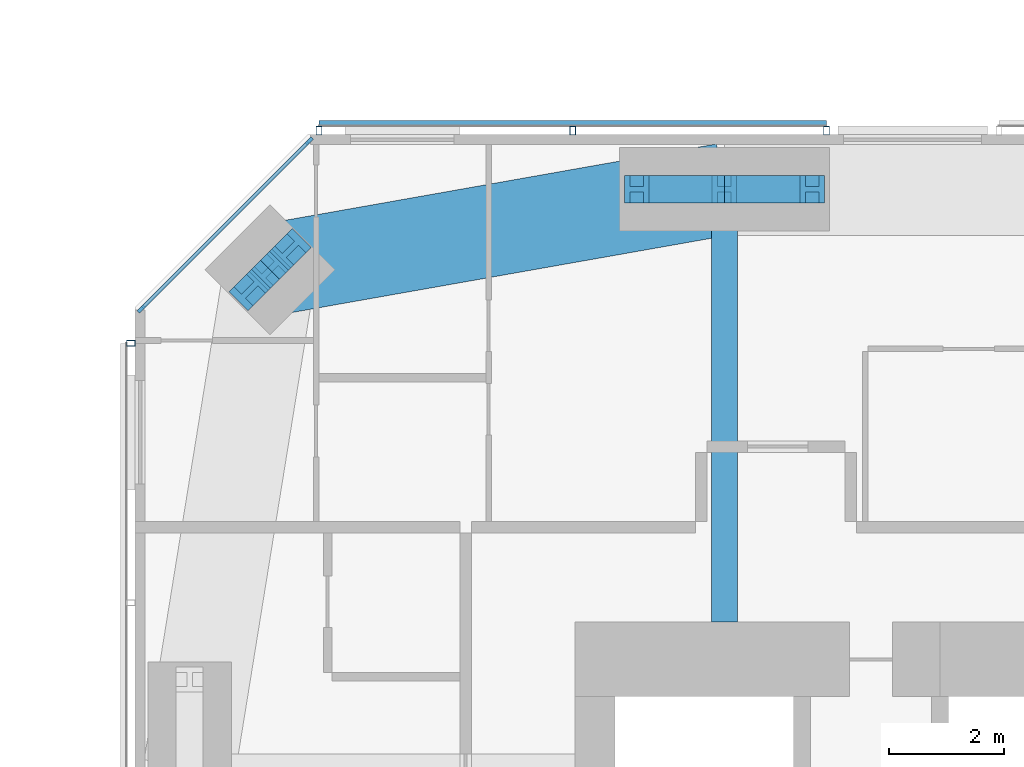
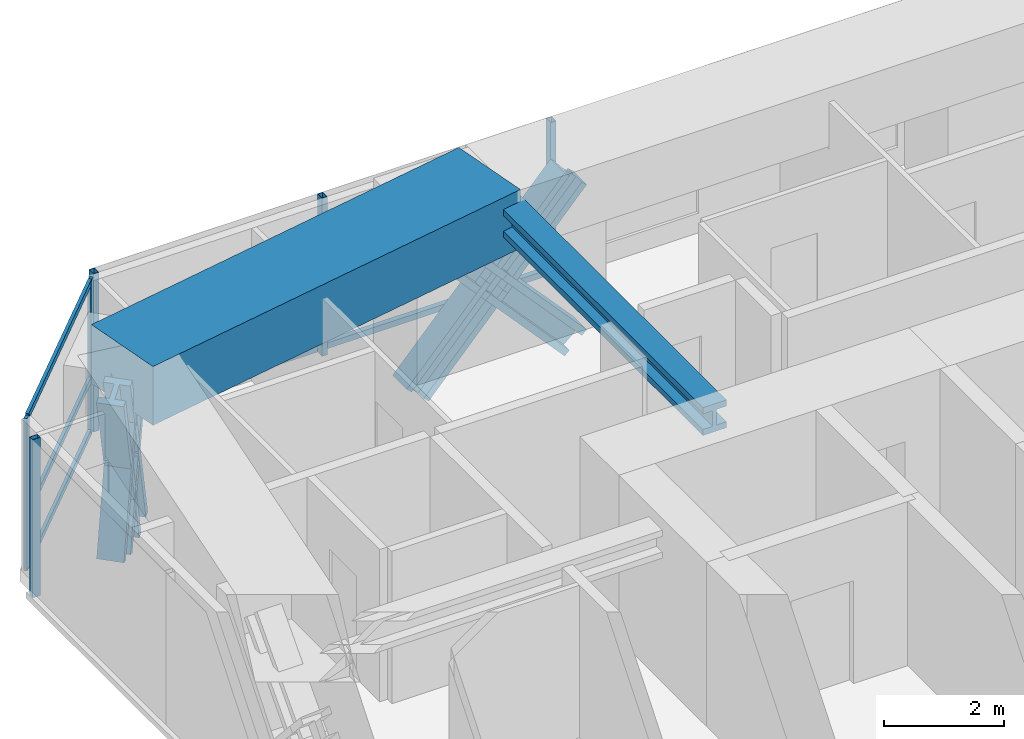
# One storey, part 10 of 23: 18 members, 2 beams, 3 elements without a shape of their own.
"""IFC4 building model written with IfcOpenShell, lengths in metres."""

from ifc_helpers import new_model, si_unit, direction, frame, origin, origin_2d, place, context, subcontext, project, spatial, rectangle, hollow_rectangle, i_section, extrude, material, material_profile, profile_set, type_object, element, aggregate, save


model = new_model("IFC4")

# Units and contexts
model_context = context("Model", 3, precision=1e-05, world=origin(), true_north=direction((0.0, 1.0)))
body_context = subcontext(model_context, "Body", "Model", "MODEL_VIEW")
ifc_project = project(units=[si_unit("LENGTHUNIT", "METRE"), si_unit("AREAUNIT", "SQUARE_METRE"), si_unit("VOLUMEUNIT", "CUBIC_METRE"), si_unit("PLANEANGLEUNIT", "RADIAN"), si_unit("MASSUNIT", "GRAM", prefix="KILO")], contexts=[model_context])

# Site, building, storey
site_placement = place(None, origin())
site = spatial("IfcSite", under=ifc_project, at=site_placement, CompositionType="ELEMENT")
building_placement = place(site_placement, origin())
building = spatial("IfcBuilding", under=site, at=building_placement, Name="Jalousie Tower", CompositionType="ELEMENT")
storey_placement = place(building_placement, frame((0.0, 0.0, 194.550048828125)))
storey = spatial("IfcBuildingStorey", under=building, at=storey_placement, Name="L53", CompositionType="ELEMENT", Elevation=194.550048828125)

# Curtain wall, members
ifc_material_1 = material(Name="Aluminium curtain wall", Category="aluminium")
curtain_wall_type_1 = type_object("IfcCurtainWallType", Name="CORNER WINDOW WALL", PredefinedType="USERDEFINED", material=ifc_material_1)
curtain_wall_1_placement = place(storey_placement, origin())
curtain_wall_1 = element("IfcCurtainWall", 1, at=curtain_wall_1_placement, inside=storey, type_object=curtain_wall_type_1, Name="Corner Window Wall L53 6", ObjectType="CORNER WINDOW WALL", PredefinedType="USERDEFINED")
ifc_material_2 = material(Name="Aluminium mullion", Category="aluminium")
ifc_material_profile_1 = material_profile(ifc_material_2, rectangle(XDim=0.06005859375, YDim=0.14990234375, at=origin_2d()), Name="MULLION 60x150")
ifc_profile_set_1 = profile_set([ifc_material_profile_1], Name="Aluminium mullion")
member_type_1 = type_object("IfcMemberType", Name="CORNER WINDOW WALL MULLION", PredefinedType="MULLION", material=ifc_profile_set_1)
member_1_placement = place(storey_placement, frame((15.030029296875, 35.891357421875, 0.0), z_axis=(0.0, 0.0, 1.0), x_axis=(0.707106781187, -0.707106781187, 0.0)))
member_1 = element("IfcMember", 2, at=member_1_placement, type_object=member_type_1, Name="CW-C mullion 1", PredefinedType="MULLION", context=body_context, shape_type="SweptSolid", body=[
    extrude(rectangle(XDim=0.06005859375, YDim=0.14990234375, at=origin_2d()), origin(), (0.0, 0.0, 1.0), 3.10986328125),
])
member_2_placement = place(storey_placement, frame((12.108642578125, 32.969970703125, 0.0), z_axis=(0.0, 0.0, 1.0), x_axis=(0.707106781187, -0.707106781187, 0.0)))
member_2 = element("IfcMember", 3, at=member_2_placement, type_object=member_type_1, Name="CW-C mullion 2", PredefinedType="MULLION", context=body_context, shape_type="SweptSolid", body=[
    extrude(rectangle(XDim=0.06005859375, YDim=0.14990234375, at=origin_2d()), origin(), (0.0, 0.0, 1.0), 3.10986328125),
])
ifc_material_3 = material(Name="Aluminium transom", Category="aluminium")
ifc_material_profile_2 = material_profile(ifc_material_3, rectangle(XDim=0.06005859375, YDim=0.1201171875, at=origin_2d()), Name="TRANSOM 60x120")
ifc_profile_set_2 = profile_set([ifc_material_profile_2], Name="Aluminium transom")
member_type_2 = type_object("IfcMemberType", Name="CORNER WINDOW WALL TRANSOM", PredefinedType="USERDEFINED", material=ifc_profile_set_2)
member_3_placement = place(storey_placement, frame((15.0087890625, 35.8701171875, 0.030029296875), z_axis=(-0.707106781187, -0.707106781187, 0.0), x_axis=(0.707106781187, -0.707106781187, 0.0)))
member_3 = element("IfcMember", 4, at=member_3_placement, type_object=member_type_2, Name="CW-C transom 1.1", ObjectType="TRANSOM", PredefinedType="USERDEFINED", context=body_context, shape_type="SweptSolid", body=[
    extrude(rectangle(XDim=0.06005859375, YDim=0.1201171875, at=origin_2d()), origin(), (0.0, 0.0, 1.0), 4.0712890625),
])
member_4_placement = place(storey_placement, frame((15.0087890625, 35.8701171875, 1.099853515625), z_axis=(-0.707106781187, -0.707106781187, 0.0), x_axis=(0.707106781187, -0.707106781187, 0.0)))
member_4 = element("IfcMember", 5, at=member_4_placement, type_object=member_type_2, Name="CW-C transom 1.2", ObjectType="TRANSOM", PredefinedType="USERDEFINED", context=body_context, shape_type="SweptSolid", body=[
    extrude(rectangle(XDim=0.06005859375, YDim=0.1201171875, at=origin_2d()), origin(), (0.0, 0.0, 1.0), 4.0712890625),
])
member_5_placement = place(storey_placement, frame((15.0087890625, 35.8701171875, 3.079833984375), z_axis=(-0.707106781187, -0.707106781187, 0.0), x_axis=(0.707106781187, -0.707106781187, 0.0)))
member_5 = element("IfcMember", 6, at=member_5_placement, type_object=member_type_2, Name="CW-C transom 1.3", ObjectType="TRANSOM", PredefinedType="USERDEFINED", context=body_context, shape_type="SweptSolid", body=[
    extrude(rectangle(XDim=0.06005859375, YDim=0.1201171875, at=origin_2d()), origin(), (0.0, 0.0, 1.0), 4.0712890625),
])
aggregate(curtain_wall_1, [member_1, member_2, member_3, member_4, member_5])

# Beam
ifc_material_4 = material(Name="Steel ASTM A992 Grade 50", Category="steel")
ifc_material_profile_3 = material_profile(ifc_material_4, i_section(OverallWidth=0.45458984375, OverallDepth=0.569091796875, WebThickness=0.077880859375, FlangeThickness=0.124755859375, at=origin_2d()), Name="W14X730")
ifc_profile_set_3 = profile_set([ifc_material_profile_3], Name="Steel ASTM A992 Grade 50")
beam_type_1 = type_object("IfcBeamType", Name="LEAN COLLECTOR W14X730", PredefinedType="BEAM", material=ifc_profile_set_3)
beam_1_placement = place(storey_placement, frame((22.25, 35.050048828125, 2.825439453125), z_axis=(0.0, -1.0, 0.0), x_axis=(1.0, 0.0, 0.0)))
element("IfcBeam", 7, at=beam_1_placement, inside=storey, type_object=beam_type_1, Name="Lean collector under L54", PredefinedType="BEAM", context=body_context, shape_type="SweptSolid", body=[
    extrude(i_section(OverallWidth=0.45458984375, OverallDepth=0.569091796875, WebThickness=0.077880859375, FlangeThickness=0.124755859375, at=origin_2d()), origin(), (0.0, 0.0, 1.0), 7.525146484375),
])

# Members
ifc_material_5 = material(Name="Steel ASTM A992 Grade 50", Category="steel")
ifc_material_profile_4 = material_profile(ifc_material_5, i_section(OverallWidth=0.472412109375, OverallDepth=0.5791015625, WebThickness=0.094970703125, FlangeThickness=0.1298828125, at=origin_2d()), Name="W14X808")
ifc_profile_set_4 = profile_set([ifc_material_profile_4], Name="Steel ASTM A992 Grade 50")
member_type_3 = type_object("IfcMemberType", Name="PERIMETER BRACE W14X808", PredefinedType="BRACE", material=ifc_profile_set_4)
for number, where, z_axis, x_axis, name in (
    (8, (20.72509765625, 35.050048828125, -0.60009765625), (0.673187629365, 0.0, 0.739471713908), (0.0, 1.0, 0.0), "Perimeter brace 11 L53 part 1"),
    (9, (22.25, 35.050048828125, 1.074951171875), (0.673187629365, 0.0, 0.739471713908), (0.0, 1.0, 0.0), "Perimeter brace 11 L53 part 2"),
    (10, (23.77490234375, 35.050048828125, -0.60009765625), (-0.673187629365, 0.0, 0.739471713908), (0.0, -1.0, 0.0), "Perimeter brace 11 L53 part 3"),
    (11, (22.25, 35.050048828125, 1.074951171875), (-0.673187629365, 0.0, 0.739471713908), (0.0, -1.0, 0.0), "Perimeter brace 11 L53 part 4"),
):
    element("IfcMember", number, at=place(storey_placement, frame(where, z_axis=z_axis, x_axis=x_axis)), inside=storey, type_object=member_type_3, Name=name, PredefinedType="BRACE", context=body_context, shape_type="SweptSolid", body=[
        extrude(i_section(OverallWidth=0.472412109375, OverallDepth=0.5791015625, WebThickness=0.094970703125, FlangeThickness=0.1298828125, at=origin_2d()), origin(), (0.0, 0.0, 1.0), 2.26513671875),
    ])
for number, where, z_axis, x_axis, name in (
    (12, (14.7021484375, 34.0048828125, -0.60009765625), (-0.202372069365, -0.202092742837, 0.958229653493), (0.706618279267, -0.707594945859, 0.0), "Perimeter brace 12 L53 part 1"),
    (13, (14.348388671875, 33.651611328125, 1.074951171875), (-0.202092742837, -0.202372069365, 0.958229653493), (0.707594945859, -0.706618279267, 0.0), "Perimeter brace 12 L53 part 2"),
    (14, (13.9951171875, 33.2978515625, -0.60009765625), (0.202092742837, 0.202372069365, 0.958229653493), (-0.707594945859, 0.706618279267, 0.0), "Perimeter brace 12 L53 part 3"),
    (15, (14.348388671875, 33.651611328125, 1.074951171875), (0.202372069365, 0.202092742837, 0.958229653493), (-0.706618279267, 0.707594945859, 0.0), "Perimeter brace 12 L53 part 4"),
):
    element("IfcMember", number, at=place(storey_placement, frame(where, z_axis=z_axis, x_axis=x_axis)), inside=storey, type_object=member_type_3, Name=name, PredefinedType="BRACE", context=body_context, shape_type="SweptSolid", body=[
        extrude(i_section(OverallWidth=0.472412109375, OverallDepth=0.5791015625, WebThickness=0.094970703125, FlangeThickness=0.1298828125, at=origin_2d()), origin(), (0.0, 0.0, 1.0), 1.748046875),
    ])

# Beam
ifc_material_6 = material(Name="Concrete f'c 40 MPa", Category="concrete")
ifc_material_profile_5 = material_profile(ifc_material_6, rectangle(XDim=1.60009765625, YDim=1.199951171875, at=origin_2d()), Name="RC 1600x1200")
ifc_profile_set_5 = profile_set([ifc_material_profile_5], Name="Concrete f'c 40 MPa")
beam_type_2 = type_object("IfcBeamType", Name="RC BEAM 1600x1200", PredefinedType="BEAM", material=ifc_profile_set_5)
beam_2_placement = place(storey_placement, frame((22.25, 35.050048828125, 2.75), z_axis=(-0.984697370688, -0.174273027632, 0.0), x_axis=(0.174273027632, -0.984697370688, 0.0)))
element("IfcBeam", 16, at=beam_2_placement, inside=storey, type_object=beam_type_2, Name="Edge band beam 11-12 under L54", PredefinedType="BEAM", context=body_context, shape_type="SweptSolid", body=[
    extrude(rectangle(XDim=1.60009765625, YDim=1.199951171875, at=origin_2d()), origin(), (0.0, 0.0, 1.0), 8.0244140625),
])

# Curtain wall, members
ifc_material_7 = material(Name="Perforated aluminium sheet", Category="aluminium")
curtain_wall_type_2 = type_object("IfcCurtainWallType", Name="SOLAR SCREEN SS-1", PredefinedType="USERDEFINED", material=ifc_material_7)
curtain_wall_2_placement = place(storey_placement, origin())
curtain_wall_2 = element("IfcCurtainWall", 17, at=curtain_wall_2_placement, inside=storey, type_object=curtain_wall_type_2, Name="Solar screen L53", ObjectType="SOLAR SCREEN SS-1", PredefinedType="USERDEFINED")
ifc_material_8 = material(Name="Steel ASTM A500 Grade C", Category="steel")
ifc_material_profile_6 = material_profile(ifc_material_8, hollow_rectangle(XDim=0.1015625, YDim=0.15234375, WallThickness=0.00634765625, at=origin_2d()), Name="HSS6X4X1/4")
ifc_profile_set_6 = profile_set([ifc_material_profile_6], Name="Steel ASTM A500 Grade C")
member_type_4 = type_object("IfcMemberType", Name="SOLAR SCREEN SS-1 MULLION", PredefinedType="MULLION", material=ifc_profile_set_6)
member_6_placement = place(storey_placement, frame((24.02490234375, 36.0712890625, -0.1201171875), z_axis=(0.0, 0.0, 1.0), x_axis=(-1.0, 0.0, 0.0)))
member_6 = element("IfcMember", 18, at=member_6_placement, type_object=member_type_4, Name="SS1 post 1", PredefinedType="MULLION", context=body_context, shape_type="SweptSolid", body=[
    extrude(hollow_rectangle(XDim=0.1015625, YDim=0.15234375, WallThickness=0.00634765625, at=origin_2d()), origin(), (0.0, 0.0, 1.0), 3.22998046875),
])
member_7_placement = place(storey_placement, frame((19.612548828125, 36.0712890625, -0.1201171875), z_axis=(0.0, 0.0, 1.0), x_axis=(-1.0, 0.0, 0.0)))
member_7 = element("IfcMember", 19, at=member_7_placement, type_object=member_type_4, Name="SS1 post 2", PredefinedType="MULLION", context=body_context, shape_type="SweptSolid", body=[
    extrude(hollow_rectangle(XDim=0.1015625, YDim=0.15234375, WallThickness=0.00634765625, at=origin_2d()), origin(), (0.0, 0.0, 1.0), 3.22998046875),
])
member_8_placement = place(storey_placement, frame((15.199951171875, 36.0712890625, -0.1201171875), z_axis=(0.0, 0.0, 1.0), x_axis=(-1.0, 0.0, 0.0)))
member_8 = element("IfcMember", 20, at=member_8_placement, type_object=member_type_4, Name="SS1 post 3", PredefinedType="MULLION", context=body_context, shape_type="SweptSolid", body=[
    extrude(hollow_rectangle(XDim=0.1015625, YDim=0.15234375, WallThickness=0.00634765625, at=origin_2d()), origin(), (0.0, 0.0, 1.0), 3.22998046875),
])

# Curtain wall, member
curtain_wall_3_placement = place(storey_placement, origin())
curtain_wall_3 = element("IfcCurtainWall", 21, at=curtain_wall_3_placement, inside=storey, type_object=curtain_wall_type_2, Name="Solar screen L53", ObjectType="SOLAR SCREEN SS-1", PredefinedType="USERDEFINED")
member_9_placement = place(storey_placement, frame((11.9287109375, 32.3701171875, -0.1201171875), z_axis=(0.0, 0.0, 1.0), x_axis=(0.0, -1.0, 0.0)))
member_9 = element("IfcMember", 22, at=member_9_placement, type_object=member_type_4, Name="SS1 post 1", PredefinedType="MULLION", context=body_context, shape_type="SweptSolid", body=[
    extrude(hollow_rectangle(XDim=0.1015625, YDim=0.15234375, WallThickness=0.00634765625, at=origin_2d()), origin(), (0.0, 0.0, 1.0), 3.22998046875),
])
aggregate(curtain_wall_3, [member_9])

# Member
ifc_material_9 = material(Name="Extruded aluminium screen rail", Category="aluminium")
ifc_material_profile_7 = material_profile(ifc_material_9, rectangle(XDim=0.1015625, YDim=0.1201171875, at=origin_2d()), Name="RAIL 102x120")
ifc_profile_set_7 = profile_set([ifc_material_profile_7], Name="Extruded aluminium screen rail")
member_type_5 = type_object("IfcMemberType", Name="SOLAR SCREEN SS-1 TRANSOM", PredefinedType="USERDEFINED", material=ifc_profile_set_7)
member_10_placement = place(storey_placement, frame((24.02490234375, 36.1982421875, -0.06005859375), z_axis=(-1.0, 0.0, 0.0), x_axis=(0.0, -1.0, 0.0)))
member_10 = element("IfcMember", 23, at=member_10_placement, type_object=member_type_5, Name="SS1 rail", ObjectType="TRANSOM", PredefinedType="USERDEFINED", context=body_context, shape_type="SweptSolid", body=[
    extrude(rectangle(XDim=0.1015625, YDim=0.1201171875, at=origin_2d()), origin(), (0.0, 0.0, 1.0), 8.824951171875),
])

aggregate(curtain_wall_2, [member_6, member_7, member_8, member_10])

save(model, "model.ifc")
